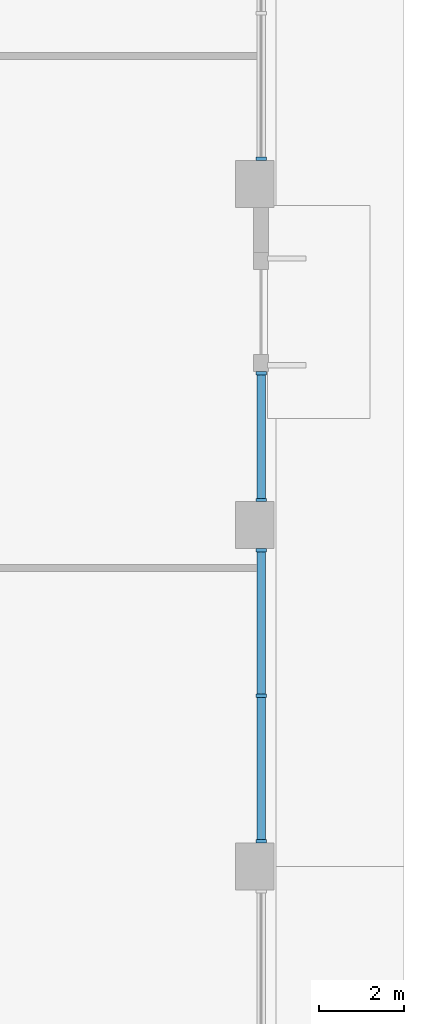
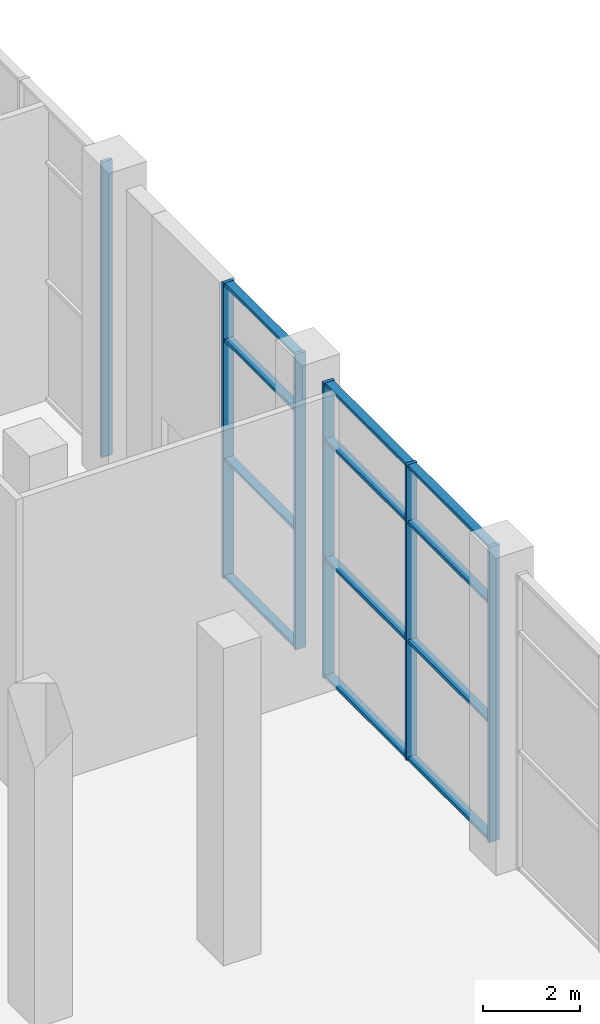
# One storey, part 5 of 33: 18 members, 3 elements without a shape of their own.
"""IFC4 building model written with IfcOpenShell, lengths in metres."""

from ifc_helpers import new_model, si_unit, direction, frame, origin, origin_2d, place, context, subcontext, project, spatial, rectangle, extrude, material, layer, layer_set, material_profile, profile_set, type_object, element, aggregate, save


model = new_model("IFC4")

# Units and contexts
model_context = context("Model", 3, precision=1e-05, world=origin(), true_north=direction((0.0, 1.0)))
body_context = subcontext(model_context, "Body", "Model", "MODEL_VIEW")
ifc_project = project(units=[si_unit("LENGTHUNIT", "METRE"), si_unit("AREAUNIT", "SQUARE_METRE"), si_unit("VOLUMEUNIT", "CUBIC_METRE"), si_unit("PLANEANGLEUNIT", "RADIAN"), si_unit("MASSUNIT", "GRAM", prefix="KILO")], contexts=[model_context])

# Site, building, storey
site_placement = place(None, origin())
site = spatial("IfcSite", under=ifc_project, at=site_placement, CompositionType="ELEMENT")
building_placement = place(site_placement, origin())
building = spatial("IfcBuilding", under=site, at=building_placement, Name="Alderwake Tower", CompositionType="ELEMENT")
storey_placement = place(building_placement, origin())
storey = spatial("IfcBuildingStorey", under=building, at=storey_placement, Name="L00", CompositionType="ELEMENT", Elevation=0.0)

# Curtain wall, members
ifc_material_1 = material(Name="Bronze tinted glass in aluminium frame", Category="aluminium")
ifc_layer = layer(ifc_material_1, 0.300048828125)
ifc_layer_set = layer_set([ifc_layer], Name="Curtain wall CW2 station concourse wall")
curtain_wall_type = type_object("IfcCurtainWallType", Name="Curtain wall CW2 station concourse wall", PredefinedType="NOTDEFINED", material=ifc_layer_set)
curtain_wall_1_placement = place(storey_placement, origin())
curtain_wall_1 = element("IfcCurtainWall", 1, at=curtain_wall_1_placement, inside=storey, type_object=curtain_wall_type, Name="Curtain wall 11", PredefinedType="NOTDEFINED")
ifc_material_2 = material(Name="Aluminium bronze anodised", Category="aluminium")
ifc_material_profile_1 = material_profile(ifc_material_2, rectangle(XDim=0.25, YDim=0.080078125, at=origin_2d()), Name="Mullion MUB 80x250")
ifc_profile_set_1 = profile_set([ifc_material_profile_1], Name="Aluminium bronze anodised")
member_type_1 = type_object("IfcMemberType", Name="Mullion MUB 80x250", PredefinedType="MULLION", material=ifc_profile_set_1)
member_1_placement = place(storey_placement, frame((84.64990234375, 48.590087890625, 0.0), z_axis=(0.0, 0.0, 1.0), x_axis=(-1.0, 0.0, 0.0)))
member_1 = element("IfcMember", 2, at=member_1_placement, type_object=member_type_1, Name="CW.11 mullion 1", PredefinedType="MULLION", context=body_context, shape_type="SweptSolid", body=[
    extrude(rectangle(XDim=0.25, YDim=0.080078125, at=origin_2d()), origin(), (0.0, 0.0, 1.0), 7.449951171875),
])
member_2_placement = place(storey_placement, frame((84.64990234375, 52.0, 0.0), z_axis=(0.0, 0.0, 1.0), x_axis=(-1.0, 0.0, 0.0)))
member_2 = element("IfcMember", 3, at=member_2_placement, type_object=member_type_1, Name="CW.11 mullion 2", PredefinedType="MULLION", context=body_context, shape_type="SweptSolid", body=[
    extrude(rectangle(XDim=0.25, YDim=0.080078125, at=origin_2d()), origin(), (0.0, 0.0, 1.0), 7.449951171875),
])
member_3_placement = place(storey_placement, frame((84.64990234375, 55.409912109375, 0.0), z_axis=(0.0, 0.0, 1.0), x_axis=(-1.0, 0.0, 0.0)))
member_3 = element("IfcMember", 4, at=member_3_placement, type_object=member_type_1, Name="CW.11 mullion 3", PredefinedType="MULLION", context=body_context, shape_type="SweptSolid", body=[
    extrude(rectangle(XDim=0.25, YDim=0.080078125, at=origin_2d()), origin(), (0.0, 0.0, 1.0), 7.449951171875),
])

curtain_wall_2_placement = place(storey_placement, origin())
curtain_wall_2 = element("IfcCurtainWall", 5, at=curtain_wall_2_placement, inside=storey, type_object=curtain_wall_type, Name="Curtain wall 12", PredefinedType="NOTDEFINED")
member_4_placement = place(storey_placement, frame((84.64990234375, 56.590087890625, 0.0), z_axis=(0.0, 0.0, 1.0), x_axis=(-1.0, 0.0, 0.0)))
member_4 = element("IfcMember", 6, at=member_4_placement, type_object=member_type_1, Name="CW.12 mullion 1", PredefinedType="MULLION", context=body_context, shape_type="SweptSolid", body=[
    extrude(rectangle(XDim=0.25, YDim=0.080078125, at=origin_2d()), origin(), (0.0, 0.0, 1.0), 7.449951171875),
])
member_5_placement = place(storey_placement, frame((84.64990234375, 59.56005859375, 0.0), z_axis=(0.0, 0.0, 1.0), x_axis=(-1.0, 0.0, 0.0)))
member_5 = element("IfcMember", 7, at=member_5_placement, type_object=member_type_1, Name="CW.12 mullion 2", PredefinedType="MULLION", context=body_context, shape_type="SweptSolid", body=[
    extrude(rectangle(XDim=0.25, YDim=0.080078125, at=origin_2d()), origin(), (0.0, 0.0, 1.0), 7.449951171875),
])

# Curtain wall, member
curtain_wall_3_placement = place(storey_placement, origin())
curtain_wall_3 = element("IfcCurtainWall", 8, at=curtain_wall_3_placement, inside=storey, type_object=curtain_wall_type, Name="Curtain wall 13", PredefinedType="NOTDEFINED")
member_6_placement = place(storey_placement, frame((84.64990234375, 64.590087890625, 0.0), z_axis=(0.0, 0.0, 1.0), x_axis=(-1.0, 0.0, 0.0)))
member_6 = element("IfcMember", 9, at=member_6_placement, type_object=member_type_1, Name="CW.13 mullion 1", PredefinedType="MULLION", context=body_context, shape_type="SweptSolid", body=[
    extrude(rectangle(XDim=0.25, YDim=0.080078125, at=origin_2d()), origin(), (0.0, 0.0, 1.0), 7.449951171875),
])
aggregate(curtain_wall_3, [member_6])

# Member
ifc_material_3 = material(Name="Aluminium bronze anodised", Category="aluminium")
ifc_material_profile_2 = material_profile(ifc_material_3, rectangle(XDim=0.199951171875, YDim=0.080078125, at=origin_2d()), Name="Transom TRB 80x200")
ifc_profile_set_2 = profile_set([ifc_material_profile_2], Name="Aluminium bronze anodised")
member_type_2 = type_object("IfcMemberType", Name="Transom TRB 80x200", PredefinedType="USERDEFINED", material=ifc_profile_set_2)
member_7_placement = place(storey_placement, frame((84.64990234375, 48.6298828125, 0.0400390625), z_axis=(0.0, 1.0, 0.0), x_axis=(-1.0, 0.0, 0.0)))
member_7 = element("IfcMember", 10, at=member_7_placement, type_object=member_type_2, Name="CW.11 transom 1.1", ObjectType="TRANSOM", PredefinedType="USERDEFINED", context=body_context, shape_type="SweptSolid", body=[
    extrude(rectangle(XDim=0.199951171875, YDim=0.080078125, at=origin_2d()), origin(), (0.0, 0.0, 1.0), 3.330078125),
])

member_8_placement = place(storey_placement, frame((84.64990234375, 48.6298828125, 3.0), z_axis=(0.0, 1.0, 0.0), x_axis=(-1.0, 0.0, 0.0)))
member_8 = element("IfcMember", 11, at=member_8_placement, type_object=member_type_2, Name="CW.11 transom 1.2", ObjectType="TRANSOM", PredefinedType="USERDEFINED", context=body_context, shape_type="SweptSolid", body=[
    extrude(rectangle(XDim=0.199951171875, YDim=0.080078125, at=origin_2d()), origin(), (0.0, 0.0, 1.0), 3.330078125),
])

member_9_placement = place(storey_placement, frame((84.64990234375, 48.6298828125, 6.0), z_axis=(0.0, 1.0, 0.0), x_axis=(-1.0, 0.0, 0.0)))
member_9 = element("IfcMember", 12, at=member_9_placement, type_object=member_type_2, Name="CW.11 transom 1.3", ObjectType="TRANSOM", PredefinedType="USERDEFINED", context=body_context, shape_type="SweptSolid", body=[
    extrude(rectangle(XDim=0.199951171875, YDim=0.080078125, at=origin_2d()), origin(), (0.0, 0.0, 1.0), 3.330078125),
])

member_10_placement = place(storey_placement, frame((84.64990234375, 48.6298828125, 7.409912109375), z_axis=(0.0, 1.0, 0.0), x_axis=(-1.0, 0.0, 0.0)))
member_10 = element("IfcMember", 13, at=member_10_placement, type_object=member_type_2, Name="CW.11 transom 1.4", ObjectType="TRANSOM", PredefinedType="USERDEFINED", context=body_context, shape_type="SweptSolid", body=[
    extrude(rectangle(XDim=0.199951171875, YDim=0.080078125, at=origin_2d()), origin(), (0.0, 0.0, 1.0), 3.330078125),
])

member_11_placement = place(storey_placement, frame((84.64990234375, 52.0400390625, 0.0400390625), z_axis=(0.0, 1.0, 0.0), x_axis=(-1.0, 0.0, 0.0)))
member_11 = element("IfcMember", 14, at=member_11_placement, type_object=member_type_2, Name="CW.11 transom 2.1", ObjectType="TRANSOM", PredefinedType="USERDEFINED", context=body_context, shape_type="SweptSolid", body=[
    extrude(rectangle(XDim=0.199951171875, YDim=0.080078125, at=origin_2d()), origin(), (0.0, 0.0, 1.0), 3.330078125),
])

member_12_placement = place(storey_placement, frame((84.64990234375, 52.0400390625, 3.0), z_axis=(0.0, 1.0, 0.0), x_axis=(-1.0, 0.0, 0.0)))
member_12 = element("IfcMember", 15, at=member_12_placement, type_object=member_type_2, Name="CW.11 transom 2.2", ObjectType="TRANSOM", PredefinedType="USERDEFINED", context=body_context, shape_type="SweptSolid", body=[
    extrude(rectangle(XDim=0.199951171875, YDim=0.080078125, at=origin_2d()), origin(), (0.0, 0.0, 1.0), 3.330078125),
])

member_13_placement = place(storey_placement, frame((84.64990234375, 52.0400390625, 6.0), z_axis=(0.0, 1.0, 0.0), x_axis=(-1.0, 0.0, 0.0)))
member_13 = element("IfcMember", 16, at=member_13_placement, type_object=member_type_2, Name="CW.11 transom 2.3", ObjectType="TRANSOM", PredefinedType="USERDEFINED", context=body_context, shape_type="SweptSolid", body=[
    extrude(rectangle(XDim=0.199951171875, YDim=0.080078125, at=origin_2d()), origin(), (0.0, 0.0, 1.0), 3.330078125),
])

member_14_placement = place(storey_placement, frame((84.64990234375, 52.0400390625, 7.409912109375), z_axis=(0.0, 1.0, 0.0), x_axis=(-1.0, 0.0, 0.0)))
member_14 = element("IfcMember", 17, at=member_14_placement, type_object=member_type_2, Name="CW.11 transom 2.4", ObjectType="TRANSOM", PredefinedType="USERDEFINED", context=body_context, shape_type="SweptSolid", body=[
    extrude(rectangle(XDim=0.199951171875, YDim=0.080078125, at=origin_2d()), origin(), (0.0, 0.0, 1.0), 3.330078125),
])

aggregate(curtain_wall_1, [member_1, member_2, member_3, member_7, member_8, member_9, member_10, member_11, member_12, member_13, member_14])

member_15_placement = place(storey_placement, frame((84.64990234375, 56.6298828125, 0.0400390625), z_axis=(0.0, 1.0, 0.0), x_axis=(-1.0, 0.0, 0.0)))
member_15 = element("IfcMember", 18, at=member_15_placement, type_object=member_type_2, Name="CW.12 transom 1.1", ObjectType="TRANSOM", PredefinedType="USERDEFINED", context=body_context, shape_type="SweptSolid", body=[
    extrude(rectangle(XDim=0.199951171875, YDim=0.080078125, at=origin_2d()), origin(), (0.0, 0.0, 1.0), 2.89013671875),
])

member_16_placement = place(storey_placement, frame((84.64990234375, 56.6298828125, 3.0), z_axis=(0.0, 1.0, 0.0), x_axis=(-1.0, 0.0, 0.0)))
member_16 = element("IfcMember", 19, at=member_16_placement, type_object=member_type_2, Name="CW.12 transom 1.2", ObjectType="TRANSOM", PredefinedType="USERDEFINED", context=body_context, shape_type="SweptSolid", body=[
    extrude(rectangle(XDim=0.199951171875, YDim=0.080078125, at=origin_2d()), origin(), (0.0, 0.0, 1.0), 2.89013671875),
])

member_17_placement = place(storey_placement, frame((84.64990234375, 56.6298828125, 6.0), z_axis=(0.0, 1.0, 0.0), x_axis=(-1.0, 0.0, 0.0)))
member_17 = element("IfcMember", 20, at=member_17_placement, type_object=member_type_2, Name="CW.12 transom 1.3", ObjectType="TRANSOM", PredefinedType="USERDEFINED", context=body_context, shape_type="SweptSolid", body=[
    extrude(rectangle(XDim=0.199951171875, YDim=0.080078125, at=origin_2d()), origin(), (0.0, 0.0, 1.0), 2.89013671875),
])

member_18_placement = place(storey_placement, frame((84.64990234375, 56.6298828125, 7.409912109375), z_axis=(0.0, 1.0, 0.0), x_axis=(-1.0, 0.0, 0.0)))
member_18 = element("IfcMember", 21, at=member_18_placement, type_object=member_type_2, Name="CW.12 transom 1.4", ObjectType="TRANSOM", PredefinedType="USERDEFINED", context=body_context, shape_type="SweptSolid", body=[
    extrude(rectangle(XDim=0.199951171875, YDim=0.080078125, at=origin_2d()), origin(), (0.0, 0.0, 1.0), 2.89013671875),
])

aggregate(curtain_wall_2, [member_4, member_5, member_15, member_16, member_17, member_18])

save(model, "model.ifc")
